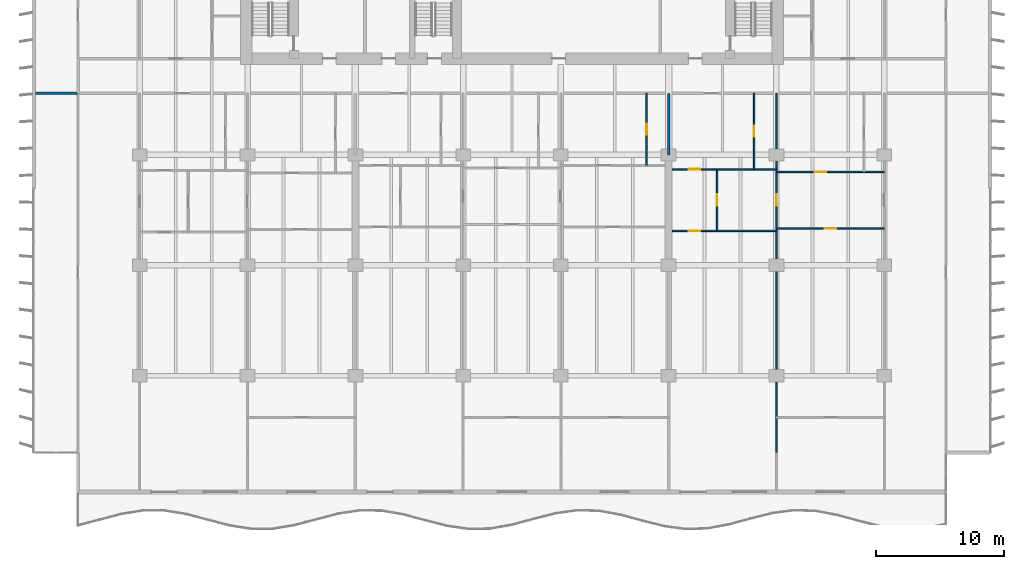
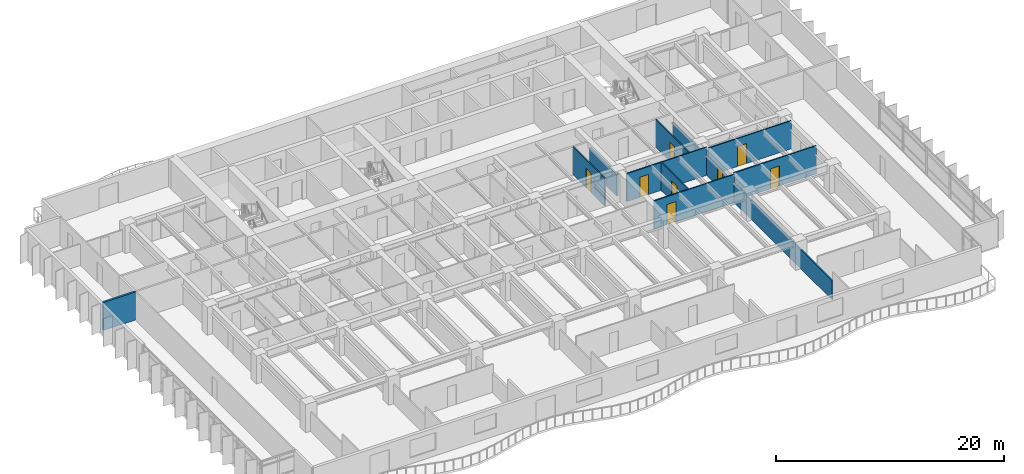
# One storey, part 8 of 15: 10 walls, 8 doors, 8 openings.
"""IFC4 building model written with IfcOpenShell, lengths in metres."""

from ifc_helpers import new_model, si_unit, direction, frame, frame_2d, origin, place, context, subcontext, project, spatial, rectangle, extrude, material, layer, layer_set, type_object, element, fill, save


model = new_model("IFC4")

# Units and contexts
model_context = context("Model", 3, precision=1e-05, world=origin(), true_north=direction((0.0, 1.0)))
body_context = subcontext(model_context, "Body", "Model", "MODEL_VIEW")
ifc_project = project(units=[si_unit("LENGTHUNIT", "METRE"), si_unit("AREAUNIT", "SQUARE_METRE"), si_unit("VOLUMEUNIT", "CUBIC_METRE"), si_unit("PLANEANGLEUNIT", "RADIAN"), si_unit("MASSUNIT", "GRAM", prefix="KILO")], contexts=[model_context])

# Site, building, storey
site_placement = place(None, origin())
site = spatial("IfcSite", under=ifc_project, at=site_placement, CompositionType="ELEMENT")
building_placement = place(site_placement, origin())
building = spatial("IfcBuilding", under=site, at=building_placement, Name="Caelmar Bay Residences", CompositionType="ELEMENT")
storey_placement = place(building_placement, frame((0.0, 0.0, 76.199951171875)))
storey = spatial("IfcBuildingStorey", under=building, at=storey_placement, Name="L20", CompositionType="ELEMENT", Elevation=76.199951171875)

# Wall, opening, door
ifc_material_1 = material(Name="Acoustic metal-stud gypsum partition 120 mm")
ifc_layer_1 = layer(ifc_material_1, 0.1201171875)
ifc_layer_set_1 = layer_set([ifc_layer_1], Name="Acoustic metal-stud gypsum partition 120 mm")
wall_type_1 = type_object("IfcWallType", Name="W-PRT-120", PredefinedType="PARTITIONING", material=ifc_layer_set_1)
wall_1_placement = place(storey_placement, frame((49.39208984375, 28.580078125, 0.0), z_axis=(0.0, 0.0, 1.0), x_axis=(0.0, 1.0, 0.0)))
wall_1 = element("IfcWall", 1, at=wall_1_placement, inside=storey, type_object=wall_type_1, Name="L20 Partition Wall V035", PredefinedType="PARTITIONING", context=body_context, shape_type="SweptSolid", body=[
    extrude(rectangle(XDim=5.619873046875, YDim=0.1201171875, at=frame_2d((2.81005859375, 0.0))), origin(), (0.0, 0.0, 1.0), 3.0),
])
opening_1_placement = place(wall_1_placement, frame((2.385009765625, 0.0, 0.0)))
opening_1 = element("IfcOpeningElement", 2, at=opening_1_placement, cuts=wall_1, Name="Opening D-L20-144", PredefinedType="OPENING", context=body_context, shape_type="SweptSolid", body=[
    extrude(rectangle(XDim=0.85009765625, YDim=2.10009765625, at=frame_2d((0.425048828125, 1.050048828125))), frame((0.0, 0.070068359375, 0.0), z_axis=(0.0, -1.0, 0.0), x_axis=(1.0, 0.0, 0.0)), (0.0, 0.0, 1.0), 0.14013671875),
])
ifc_material_2 = material(Name="Solid walnut timber interior door leaf and frame", Category="wood")
ifc_layer_2 = layer(ifc_material_2, 0.050048828125)
ifc_layer_set_2 = layer_set([ifc_layer_2], Name="Solid walnut timber interior door leaf and frame")
door_type_1 = type_object("IfcDoorType", Name="D-BATH-850", OperationType="NOTDEFINED", PredefinedType="DOOR", material=ifc_layer_set_2)
door_1_placement = place(opening_1_placement, origin())
door_1 = element("IfcDoor", 3, at=door_1_placement, inside=storey, type_object=door_type_1, Name="L20 Residence 02 En-Suite Bathroom 2 Door", OperationType="SINGLE_SWING_LEFT", OverallHeight=2.10009765625, OverallWidth=0.85009765625, PredefinedType="DOOR", context=body_context, shape_type="SweptSolid", body=[
    extrude(rectangle(XDim=0.85009765625, YDim=2.10009765625, at=frame_2d((0.425048828125, 1.050048828125))), frame((0.0, 0.02490234375, 0.0), z_axis=(0.0, -1.0, 0.0), x_axis=(1.0, 0.0, 0.0)), (0.0, 0.0, 1.0), 0.050048828125),
])
fill(opening_1, door_1)

wall_2_placement = place(storey_placement, frame((54.8798828125, 23.47998046875, 0.0), z_axis=(0.0, 0.0, 1.0), x_axis=(0.0, 1.0, 0.0)))
wall_2 = element("IfcWall", 4, at=wall_2_placement, inside=storey, type_object=wall_type_1, Name="L20 Partition Wall V043", PredefinedType="PARTITIONING", context=body_context, shape_type="SweptSolid", body=[
    extrude(rectangle(XDim=4.800048828125, YDim=0.1201171875, at=frame_2d((2.39990234375, 0.0))), origin(), (0.0, 0.0, 1.0), 3.0),
])
opening_2_placement = place(wall_2_placement, frame((1.949951171875, 0.0, 0.0)))
opening_2 = element("IfcOpeningElement", 5, at=opening_2_placement, cuts=wall_2, Name="Opening D-L20-150", PredefinedType="OPENING", context=body_context, shape_type="SweptSolid", body=[
    extrude(rectangle(XDim=0.89990234375, YDim=2.14990234375, at=frame_2d((0.449951171875, 1.074951171875))), frame((0.0, 0.070068359375, 0.0), z_axis=(0.0, -1.0, 0.0), x_axis=(1.0, 0.0, 0.0)), (0.0, 0.0, 1.0), 0.14013671875),
])
ifc_layer_3 = layer(ifc_material_2, 0.050048828125)
ifc_layer_set_3 = layer_set([ifc_layer_3], Name="Solid walnut timber interior door leaf and frame")
door_type_2 = type_object("IfcDoorType", Name="D-ROOM-900", OperationType="NOTDEFINED", PredefinedType="DOOR", material=ifc_layer_set_3)
door_2_placement = place(opening_2_placement, origin())
door_2 = element("IfcDoor", 6, at=door_2_placement, inside=storey, type_object=door_type_2, Name="L20 Residence 03 Kitchen Door", OperationType="SINGLE_SWING_LEFT", OverallHeight=2.14990234375, OverallWidth=0.89990234375, PredefinedType="DOOR", context=body_context, shape_type="SweptSolid", body=[
    extrude(rectangle(XDim=0.89990234375, YDim=2.14990234375, at=frame_2d((0.449951171875, 1.074951171875))), frame((0.0, 0.02490234375, 0.0), z_axis=(0.0, -1.0, 0.0), x_axis=(1.0, 0.0, 0.0)), (0.0, 0.0, 1.0), 0.050048828125),
])
fill(opening_2, door_2)

wall_3_placement = place(storey_placement, frame((57.760009765625, 28.280029296875, 0.0), z_axis=(0.0, 0.0, 1.0), x_axis=(0.0, 1.0, 0.0)))
wall_3 = element("IfcWall", 7, at=wall_3_placement, inside=storey, type_object=wall_type_1, Name="L20 Partition Wall V045", PredefinedType="PARTITIONING", context=body_context, shape_type="SweptSolid", body=[
    extrude(rectangle(XDim=5.919921875, YDim=0.1201171875, at=frame_2d((2.9599609375, 0.0))), origin(), (0.0, 0.0, 1.0), 3.0),
])
opening_3_placement = place(wall_3_placement, frame((2.534912109375, 0.0, 0.0)))
opening_3 = element("IfcOpeningElement", 8, at=opening_3_placement, cuts=wall_3, Name="Opening D-L20-148", PredefinedType="OPENING", context=body_context, shape_type="SweptSolid", body=[
    extrude(rectangle(XDim=0.85009765625, YDim=2.10009765625, at=frame_2d((0.425048828125, 1.050048828125))), frame((0.0, 0.070068359375, 0.0), z_axis=(0.0, -1.0, 0.0), x_axis=(1.0, 0.0, 0.0)), (0.0, 0.0, 1.0), 0.14013671875),
])
door_3_placement = place(opening_3_placement, origin())
door_3 = element("IfcDoor", 9, at=door_3_placement, inside=storey, type_object=door_type_1, Name="L20 Residence 03 Guest Bathroom Door", OperationType="SINGLE_SWING_LEFT", OverallHeight=2.10009765625, OverallWidth=0.85009765625, PredefinedType="DOOR", context=body_context, shape_type="SweptSolid", body=[
    extrude(rectangle(XDim=0.85009765625, YDim=2.10009765625, at=frame_2d((0.425048828125, 1.050048828125))), frame((0.0, 0.02490234375, 0.0), z_axis=(0.0, -1.0, 0.0), x_axis=(1.0, 0.0, 0.0)), (0.0, 0.0, 1.0), 0.050048828125),
])
fill(opening_3, door_3)

wall_4_placement = place(storey_placement, frame((59.5, 6.239990234375, 0.0), z_axis=(0.0, 0.0, 1.0), x_axis=(0.0, 1.0, 0.0)))
wall_4 = element("IfcWall", 10, at=wall_4_placement, inside=storey, type_object=wall_type_1, Name="L20 Partition Wall V047", PredefinedType="PARTITIONING", context=body_context, shape_type="SweptSolid", body=[
    extrude(rectangle(XDim=27.9599609375, YDim=0.1201171875, at=frame_2d((13.97998046875, 0.0))), origin(), (0.0, 0.0, 1.0), 2.06005859375),
])
opening_4_placement = place(wall_4_placement, frame((19.18994140625, 0.0, 0.0)))
opening_4 = element("IfcOpeningElement", 11, at=opening_4_placement, cuts=wall_4, Name="Opening D-L20-152", PredefinedType="OPENING", context=body_context, shape_type="SweptSolid", body=[
    extrude(rectangle(XDim=0.89990234375, YDim=2.010009765625, at=frame_2d((0.449951171875, 1.0048828125))), frame((0.0, 0.070068359375, 0.0), z_axis=(0.0, -1.0, 0.0), x_axis=(1.0, 0.0, 0.0)), (0.0, 0.0, 1.0), 0.14013671875),
])
door_4_placement = place(opening_4_placement, origin())
door_4 = element("IfcDoor", 12, at=door_4_placement, inside=storey, type_object=door_type_2, Name="L20 Residence 03 Reception Lounge 1 Door", OperationType="SINGLE_SWING_LEFT", OverallHeight=2.010009765625, OverallWidth=0.89990234375, PredefinedType="DOOR", context=body_context, shape_type="SweptSolid", body=[
    extrude(rectangle(XDim=0.89990234375, YDim=2.010009765625, at=frame_2d((0.449951171875, 1.0048828125))), frame((0.0, 0.02490234375, 0.0), z_axis=(0.0, -1.0, 0.0), x_axis=(1.0, 0.0, 0.0)), (0.0, 0.0, 1.0), 0.050048828125),
])
fill(opening_4, door_4)

wall_5_placement = place(storey_placement, frame((51.3701171875, 23.47998046875, 0.0), z_axis=(0.0, 0.0, 1.0), x_axis=(1.0, 0.0, 0.0)))
wall_5 = element("IfcWall", 13, at=wall_5_placement, inside=storey, type_object=wall_type_1, Name="L20 Partition Wall H060", PredefinedType="PARTITIONING", context=body_context, shape_type="SweptSolid", body=[
    extrude(rectangle(XDim=8.1298828125, YDim=0.1201171875, at=frame_2d((4.06494140625, 0.0))), origin(), (0.0, 0.0, 1.0), 3.0),
])
opening_5_placement = place(wall_5_placement, frame((1.304931640625, 0.0, 0.0)))
opening_5 = element("IfcOpeningElement", 14, at=opening_5_placement, cuts=wall_5, Name="Opening D-L20-151", PredefinedType="OPENING", context=body_context, shape_type="SweptSolid", body=[
    extrude(rectangle(XDim=0.89990234375, YDim=2.14990234375, at=frame_2d((0.449951171875, 1.074951171875))), frame((0.0, 0.070068359375, 0.0), z_axis=(0.0, -1.0, 0.0), x_axis=(1.0, 0.0, 0.0)), (0.0, 0.0, 1.0), 0.14013671875),
])
door_5_placement = place(opening_5_placement, origin())
door_5 = element("IfcDoor", 15, at=door_5_placement, inside=storey, type_object=door_type_2, Name="L20 Residence 03 Penthouse Living Salon Door", OperationType="SINGLE_SWING_RIGHT", OverallHeight=2.14990234375, OverallWidth=0.89990234375, PredefinedType="DOOR", context=body_context, shape_type="SweptSolid", body=[
    extrude(rectangle(XDim=0.89990234375, YDim=2.14990234375, at=frame_2d((0.449951171875, 1.074951171875))), frame((0.0, 0.02490234375, 0.0), z_axis=(0.0, -1.0, 0.0), x_axis=(1.0, 0.0, 0.0)), (0.0, 0.0, 1.0), 0.050048828125),
])
fill(opening_5, door_5)

wall_6_placement = place(storey_placement, frame((59.5048828125, 23.679931640625, 0.0), z_axis=(0.0, 0.0, 1.0), x_axis=(1.0, 0.0, 0.0)))
wall_6 = element("IfcWall", 16, at=wall_6_placement, inside=storey, type_object=wall_type_1, Name="L20 Partition Wall H062", PredefinedType="PARTITIONING", context=body_context, shape_type="SweptSolid", body=[
    extrude(rectangle(XDim=8.39501953125, YDim=0.1201171875, at=frame_2d((4.197509765625, 0.0))), origin(), (0.0, 0.0, 1.0), 3.0),
])
opening_6_placement = place(wall_6_placement, frame((3.74755859375, 0.0, 0.0)))
opening_6 = element("IfcOpeningElement", 17, at=opening_6_placement, cuts=wall_6, Name="Opening D-L20-155", PredefinedType="OPENING", context=body_context, shape_type="SweptSolid", body=[
    extrude(rectangle(XDim=0.89990234375, YDim=2.14990234375, at=frame_2d((0.449951171875, 1.074951171875))), frame((0.0, 0.070068359375, 0.0), z_axis=(0.0, -1.0, 0.0), x_axis=(1.0, 0.0, 0.0)), (0.0, 0.0, 1.0), 0.14013671875),
])
door_6_placement = place(opening_6_placement, origin())
door_6 = element("IfcDoor", 18, at=door_6_placement, inside=storey, type_object=door_type_2, Name="L20 Residence 03 Penthouse Sitting Salon 1 Door", OperationType="SINGLE_SWING_RIGHT", OverallHeight=2.14990234375, OverallWidth=0.89990234375, PredefinedType="DOOR", context=body_context, shape_type="SweptSolid", body=[
    extrude(rectangle(XDim=0.89990234375, YDim=2.14990234375, at=frame_2d((0.449951171875, 1.074951171875))), frame((0.0, 0.02490234375, 0.0), z_axis=(0.0, -1.0, 0.0), x_axis=(1.0, 0.0, 0.0)), (0.0, 0.0, 1.0), 0.050048828125),
])
fill(opening_6, door_6)

wall_7_placement = place(storey_placement, frame((59.5, 28.080078125, 0.0), z_axis=(0.0, 0.0, 1.0), x_axis=(1.0, 0.0, 0.0)))
wall_7 = element("IfcWall", 19, at=wall_7_placement, inside=storey, type_object=wall_type_1, Name="L20 Partition Wall H067", PredefinedType="PARTITIONING", context=body_context, shape_type="SweptSolid", body=[
    extrude(rectangle(XDim=8.39990234375, YDim=0.1201171875, at=frame_2d((4.199951171875, 0.0))), origin(), (0.0, 0.0, 1.0), 3.0),
])
opening_7_placement = place(wall_7_placement, frame((2.965576171875, 0.0, 0.0)))
opening_7 = element("IfcOpeningElement", 20, at=opening_7_placement, cuts=wall_7, Name="Opening D-L20-153", PredefinedType="OPENING", context=body_context, shape_type="SweptSolid", body=[
    extrude(rectangle(XDim=0.89990234375, YDim=2.14990234375, at=frame_2d((0.449951171875, 1.074951171875))), frame((0.0, 0.070068359375, 0.0), z_axis=(0.0, -1.0, 0.0), x_axis=(1.0, 0.0, 0.0)), (0.0, 0.0, 1.0), 0.14013671875),
])
door_7_placement = place(opening_7_placement, origin())
door_7 = element("IfcDoor", 21, at=door_7_placement, inside=storey, type_object=door_type_2, Name="L20 Residence 03 Private Reception Room 1 Door", OperationType="SINGLE_SWING_RIGHT", OverallHeight=2.14990234375, OverallWidth=0.89990234375, PredefinedType="DOOR", context=body_context, shape_type="SweptSolid", body=[
    extrude(rectangle(XDim=0.89990234375, YDim=2.14990234375, at=frame_2d((0.449951171875, 1.074951171875))), frame((0.0, 0.02490234375, 0.0), z_axis=(0.0, -1.0, 0.0), x_axis=(1.0, 0.0, 0.0)), (0.0, 0.0, 1.0), 0.050048828125),
])
fill(opening_7, door_7)

wall_8_placement = place(storey_placement, frame((51.3701171875, 28.280029296875, 0.0), z_axis=(0.0, 0.0, 1.0), x_axis=(1.0, 0.0, 0.0)))
wall_8 = element("IfcWall", 22, at=wall_8_placement, inside=storey, type_object=wall_type_1, Name="L20 Partition Wall H069", PredefinedType="PARTITIONING", context=body_context, shape_type="SweptSolid", body=[
    extrude(rectangle(XDim=8.1298828125, YDim=0.1201171875, at=frame_2d((4.06494140625, 0.0))), origin(), (0.0, 0.0, 1.0), 3.0),
])
opening_8_placement = place(wall_8_placement, frame((1.304931640625, 0.0, 0.0)))
opening_8 = element("IfcOpeningElement", 23, at=opening_8_placement, cuts=wall_8, Name="Opening D-L20-149", PredefinedType="OPENING", context=body_context, shape_type="SweptSolid", body=[
    extrude(rectangle(XDim=0.89990234375, YDim=2.14990234375, at=frame_2d((0.449951171875, 1.074951171875))), frame((0.0, 0.070068359375, 0.0), z_axis=(0.0, -1.0, 0.0), x_axis=(1.0, 0.0, 0.0)), (0.0, 0.0, 1.0), 0.14013671875),
])
door_8_placement = place(opening_8_placement, origin())
door_8 = element("IfcDoor", 24, at=door_8_placement, inside=storey, type_object=door_type_2, Name="L20 Residence 03 Dining Room Door", OperationType="SINGLE_SWING_RIGHT", OverallHeight=2.14990234375, OverallWidth=0.89990234375, PredefinedType="DOOR", context=body_context, shape_type="SweptSolid", body=[
    extrude(rectangle(XDim=0.89990234375, YDim=2.14990234375, at=frame_2d((0.449951171875, 1.074951171875))), frame((0.0, 0.02490234375, 0.0), z_axis=(0.0, -1.0, 0.0), x_axis=(1.0, 0.0, 0.0)), (0.0, 0.0, 1.0), 0.050048828125),
])
fill(opening_8, door_8)

# Walls
ifc_material_3 = material(Name="Acoustic twin-stud fire-rated inter-tenancy partition 200 mm")
ifc_layer_4 = layer(ifc_material_3, 0.199951171875)
ifc_layer_set_4 = layer_set([ifc_layer_4], Name="Acoustic twin-stud fire-rated inter-tenancy partition 200 mm")
wall_type_2 = type_object("IfcWallType", Name="W-PTY-200", PredefinedType="PARTITIONING", material=ifc_layer_set_4)
wall_9_placement = place(storey_placement, frame((51.10009765625, 29.405029296875, 0.0), z_axis=(0.0, 0.0, 1.0), x_axis=(0.0, 1.0, 0.0)))
element("IfcWall", 25, at=wall_9_placement, inside=storey, type_object=wall_type_2, Name="L20 Partition Wall V041", PredefinedType="PARTITIONING", context=body_context, shape_type="SweptSolid", body=[
    extrude(rectangle(XDim=4.794921875, YDim=0.199951171875, at=frame_2d((2.3974609375, 0.0))), origin(), (0.0, 0.0, 1.0), 2.28515625),
])
wall_10_placement = place(storey_placement, frame((1.794921875, 34.199951171875, 0.0), z_axis=(0.0, 0.0, 1.0), x_axis=(1.0, 0.0, 0.0)))
element("IfcWall", 26, at=wall_10_placement, inside=storey, type_object=wall_type_2, Name="L20 Partition Wall H073", PredefinedType="PARTITIONING", context=body_context, shape_type="SweptSolid", body=[
    extrude(rectangle(XDim=3.30517578125, YDim=0.199951171875, at=frame_2d((1.652587890625, 0.0))), origin(), (0.0, 0.0, 1.0), 3.0),
])

save(model, "model.ifc")
